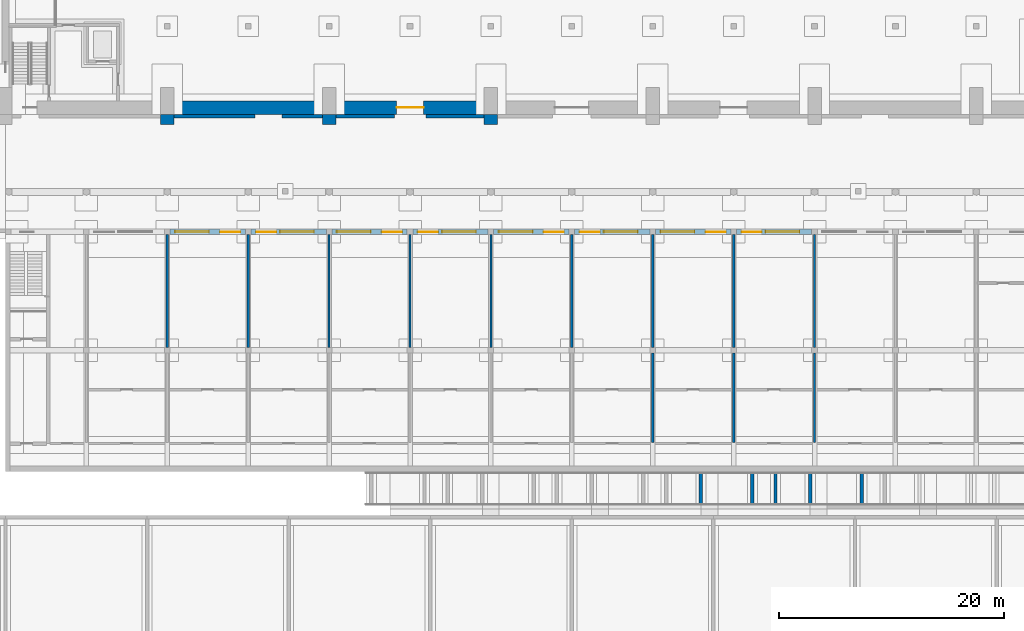
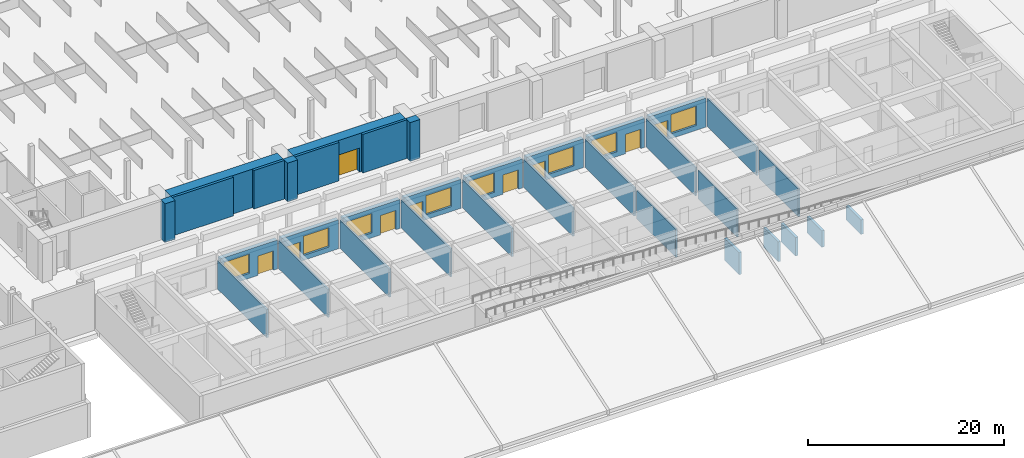
# One storey, part 35 of 73: 34 walls, 9 doors, 8 windows, 17 openings.
"""IFC4 building model written with IfcOpenShell, lengths in metres."""

from ifc_helpers import new_model, si_unit, direction, frame, frame_2d, origin, place, context, subcontext, project, spatial, rectangle, extrude, material, layer, layer_set, type_object, element, fill, save


model = new_model("IFC4")

# Units and contexts
model_context = context("Model", 3, precision=1e-05, world=origin(), true_north=direction((0.0, 1.0)))
body_context = subcontext(model_context, "Body", "Model", "MODEL_VIEW")
ifc_project = project(units=[si_unit("LENGTHUNIT", "METRE"), si_unit("AREAUNIT", "SQUARE_METRE"), si_unit("VOLUMEUNIT", "CUBIC_METRE"), si_unit("PLANEANGLEUNIT", "RADIAN"), si_unit("MASSUNIT", "GRAM", prefix="KILO")], contexts=[model_context])

# Site, building, storey
site_placement = place(None, origin())
site = spatial("IfcSite", under=ifc_project, at=site_placement, CompositionType="ELEMENT")
building_placement = place(site_placement, origin())
building = spatial("IfcBuilding", under=site, at=building_placement, Name="Alderwick Market Hall", CompositionType="ELEMENT")
storey_placement = place(building_placement, origin())
storey = spatial("IfcBuildingStorey", under=building, at=storey_placement, Name="LG", CompositionType="ELEMENT", Elevation=0.0)

# Wall, openings, door, window
ifc_material_1 = material(Name="Cast stone 5000 psi", Category="masonry")
ifc_layer_1 = layer(ifc_material_1, 0.5)
ifc_layer_set_1 = layer_set([ifc_layer_1], Name="Cast stone 5000 psi")
wall_type_1 = type_object("IfcWallType", Name="A Cast Stone Shopfront Wall 500", PredefinedType="SOLIDWALL", material=ifc_layer_set_1)
wall_1_placement = place(storey_placement, frame((65.050048828125, 39.35009765625, 0.0), z_axis=(0.0, 0.0, 1.0), x_axis=(1.0, 0.0, 0.0)))
wall_1 = element("IfcWall", 1, at=wall_1_placement, inside=storey, type_object=wall_type_1, Name="A.S.wall.011", PredefinedType="SOLIDWALL", context=body_context, shape_type="SweptSolid", body=[
    extrude(rectangle(XDim=6.699951171875, YDim=0.5, at=frame_2d((3.35009765625, 0.0))), origin(), (0.0, 0.0, 1.0), 3.60009765625),
])
opening_1_placement = place(wall_1_placement, frame((4.449951171875, 0.0, 0.0)))
opening_1 = element("IfcOpeningElement", 2, at=opening_1_placement, cuts=wall_1, Name="Opening A-D019", PredefinedType="OPENING", context=body_context, shape_type="SweptSolid", body=[
    extrude(rectangle(XDim=1.800048828125, YDim=2.39990234375, at=frame_2d((0.89990234375, 1.199951171875))), frame((0.0, 0.260009765625, 0.0), z_axis=(0.0, -1.0, 0.0), x_axis=(1.0, 0.0, 0.0)), (0.0, 0.0, 1.0), 0.52001953125),
])
opening_2_placement = place(wall_1_placement, frame((0.449951171875, 0.0, 0.60009765625)))
opening_2 = element("IfcOpeningElement", 3, at=opening_2_placement, cuts=wall_1, Name="Opening A-W013", PredefinedType="OPENING", context=body_context, shape_type="SweptSolid", body=[
    extrude(rectangle(XDim=3.0, YDim=2.39990234375, at=frame_2d((1.5, 1.199951171875))), frame((0.0, 0.260009765625, 0.0), z_axis=(0.0, -1.0, 0.0), x_axis=(1.0, 0.0, 0.0)), (0.0, 0.0, 1.0), 0.52001953125),
])
ifc_material_2 = material(Name="Aluminium frame and glass", Category="aluminium")
door_type_1 = type_object("IfcDoorType", Name="A Shop Double Door 1800x2400", OperationType="DOUBLE_DOOR_DOUBLE_SWING", PredefinedType="DOOR", material=ifc_material_2)
door_1_placement = place(opening_1_placement, origin())
door_1 = element("IfcDoor", 4, at=door_1_placement, inside=storey, type_object=door_type_1, Name="Wine Shop entrance", OperationType="DOUBLE_DOOR_DOUBLE_SWING", OverallHeight=2.39990234375, OverallWidth=1.800048828125, PredefinedType="DOOR", context=body_context, shape_type="SweptSolid", body=[
    extrude(rectangle(XDim=1.800048828125, YDim=2.39990234375, at=frame_2d((0.89990234375, 1.199951171875))), frame((0.0, 0.02490234375, 0.0), z_axis=(0.0, -1.0, 0.0), x_axis=(1.0, 0.0, 0.0)), (0.0, 0.0, 1.0), 0.050048828125),
])
fill(opening_1, door_1)
ifc_material_3 = material(Name="Aluminium frame", Category="aluminium")
window_type = type_object("IfcWindowType", Name="A Shopfront Window 3000x2400", PartitioningType="SINGLE_PANEL", PredefinedType="WINDOW", material=ifc_material_3)
window_1_placement = place(opening_2_placement, origin())
window_1 = element("IfcWindow", 5, at=window_1_placement, inside=storey, type_object=window_type, Name="Window A-W013", OverallHeight=2.39990234375, OverallWidth=3.0, PartitioningType="SINGLE_PANEL", PredefinedType="WINDOW", context=body_context, shape_type="SweptSolid", body=[
    extrude(rectangle(XDim=3.0, YDim=2.39990234375, at=frame_2d((1.5, 1.199951171875))), frame((0.0, 0.030029296875, 0.0), z_axis=(0.0, -1.0, 0.0), x_axis=(1.0, 0.0, 0.0)), (0.0, 0.0, 1.0), 0.06005859375),
])
fill(opening_2, window_1)

wall_2_placement = place(storey_placement, frame((72.25, 39.35009765625, 0.0), z_axis=(0.0, 0.0, 1.0), x_axis=(1.0, 0.0, 0.0)))
wall_2 = element("IfcWall", 6, at=wall_2_placement, inside=storey, type_object=wall_type_1, Name="A.S.wall.012", PredefinedType="SOLIDWALL", context=body_context, shape_type="SweptSolid", body=[
    extrude(rectangle(XDim=6.699951171875, YDim=0.5, at=frame_2d((3.35009765625, 0.0))), origin(), (0.0, 0.0, 1.0), 3.60009765625),
])
opening_3_placement = place(wall_2_placement, frame((0.449951171875, 0.0, 0.0)))
opening_3 = element("IfcOpeningElement", 7, at=opening_3_placement, cuts=wall_2, Name="Opening A-D020", PredefinedType="OPENING", context=body_context, shape_type="SweptSolid", body=[
    extrude(rectangle(XDim=1.800048828125, YDim=2.39990234375, at=frame_2d((0.89990234375, 1.199951171875))), frame((0.0, 0.260009765625, 0.0), z_axis=(0.0, -1.0, 0.0), x_axis=(1.0, 0.0, 0.0)), (0.0, 0.0, 1.0), 0.52001953125),
])
opening_4_placement = place(wall_2_placement, frame((2.60009765625, 0.0, 0.60009765625)))
opening_4 = element("IfcOpeningElement", 8, at=opening_4_placement, cuts=wall_2, Name="Opening A-W014", PredefinedType="OPENING", context=body_context, shape_type="SweptSolid", body=[
    extrude(rectangle(XDim=3.0, YDim=2.39990234375, at=frame_2d((1.5, 1.199951171875))), frame((0.0, 0.260009765625, 0.0), z_axis=(0.0, -1.0, 0.0), x_axis=(1.0, 0.0, 0.0)), (0.0, 0.0, 1.0), 0.52001953125),
])
door_2_placement = place(opening_3_placement, origin())
door_2 = element("IfcDoor", 9, at=door_2_placement, inside=storey, type_object=door_type_1, Name="Spice Shop entrance", OperationType="DOUBLE_DOOR_DOUBLE_SWING", OverallHeight=2.39990234375, OverallWidth=1.800048828125, PredefinedType="DOOR", context=body_context, shape_type="SweptSolid", body=[
    extrude(rectangle(XDim=1.800048828125, YDim=2.39990234375, at=frame_2d((0.89990234375, 1.199951171875))), frame((0.0, 0.02490234375, 0.0), z_axis=(0.0, -1.0, 0.0), x_axis=(1.0, 0.0, 0.0)), (0.0, 0.0, 1.0), 0.050048828125),
])
fill(opening_3, door_2)
window_2_placement = place(opening_4_placement, origin())
window_2 = element("IfcWindow", 10, at=window_2_placement, inside=storey, type_object=window_type, Name="Window A-W014", OverallHeight=2.39990234375, OverallWidth=3.0, PartitioningType="SINGLE_PANEL", PredefinedType="WINDOW", context=body_context, shape_type="SweptSolid", body=[
    extrude(rectangle(XDim=3.0, YDim=2.39990234375, at=frame_2d((1.5, 1.199951171875))), frame((0.0, 0.030029296875, 0.0), z_axis=(0.0, -1.0, 0.0), x_axis=(1.0, 0.0, 0.0)), (0.0, 0.0, 1.0), 0.06005859375),
])
fill(opening_4, window_2)

wall_3_placement = place(storey_placement, frame((79.449951171875, 39.35009765625, 0.0), z_axis=(0.0, 0.0, 1.0), x_axis=(1.0, 0.0, 0.0)))
wall_3 = element("IfcWall", 11, at=wall_3_placement, inside=storey, type_object=wall_type_1, Name="A.S.wall.013", PredefinedType="SOLIDWALL", context=body_context, shape_type="SweptSolid", body=[
    extrude(rectangle(XDim=6.699951171875, YDim=0.5, at=frame_2d((3.35009765625, 0.0))), origin(), (0.0, 0.0, 1.0), 3.60009765625),
])
opening_5_placement = place(wall_3_placement, frame((4.449951171875, 0.0, 0.0)))
opening_5 = element("IfcOpeningElement", 12, at=opening_5_placement, cuts=wall_3, Name="Opening A-D021", PredefinedType="OPENING", context=body_context, shape_type="SweptSolid", body=[
    extrude(rectangle(XDim=1.800048828125, YDim=2.39990234375, at=frame_2d((0.89990234375, 1.199951171875))), frame((0.0, 0.260009765625, 0.0), z_axis=(0.0, -1.0, 0.0), x_axis=(1.0, 0.0, 0.0)), (0.0, 0.0, 1.0), 0.52001953125),
])
opening_6_placement = place(wall_3_placement, frame((0.449951171875, 0.0, 0.60009765625)))
opening_6 = element("IfcOpeningElement", 13, at=opening_6_placement, cuts=wall_3, Name="Opening A-W015", PredefinedType="OPENING", context=body_context, shape_type="SweptSolid", body=[
    extrude(rectangle(XDim=3.0, YDim=2.39990234375, at=frame_2d((1.5, 1.199951171875))), frame((0.0, 0.260009765625, 0.0), z_axis=(0.0, -1.0, 0.0), x_axis=(1.0, 0.0, 0.0)), (0.0, 0.0, 1.0), 0.52001953125),
])
door_3_placement = place(opening_5_placement, origin())
door_3 = element("IfcDoor", 14, at=door_3_placement, inside=storey, type_object=door_type_1, Name="Butcher Shop entrance", OperationType="DOUBLE_DOOR_DOUBLE_SWING", OverallHeight=2.39990234375, OverallWidth=1.800048828125, PredefinedType="DOOR", context=body_context, shape_type="SweptSolid", body=[
    extrude(rectangle(XDim=1.800048828125, YDim=2.39990234375, at=frame_2d((0.89990234375, 1.199951171875))), frame((0.0, 0.02490234375, 0.0), z_axis=(0.0, -1.0, 0.0), x_axis=(1.0, 0.0, 0.0)), (0.0, 0.0, 1.0), 0.050048828125),
])
fill(opening_5, door_3)
window_3_placement = place(opening_6_placement, origin())
window_3 = element("IfcWindow", 15, at=window_3_placement, inside=storey, type_object=window_type, Name="Window A-W015", OverallHeight=2.39990234375, OverallWidth=3.0, PartitioningType="SINGLE_PANEL", PredefinedType="WINDOW", context=body_context, shape_type="SweptSolid", body=[
    extrude(rectangle(XDim=3.0, YDim=2.39990234375, at=frame_2d((1.5, 1.199951171875))), frame((0.0, 0.030029296875, 0.0), z_axis=(0.0, -1.0, 0.0), x_axis=(1.0, 0.0, 0.0)), (0.0, 0.0, 1.0), 0.06005859375),
])
fill(opening_6, window_3)

wall_4_placement = place(storey_placement, frame((86.64990234375, 39.35009765625, 0.0), z_axis=(0.0, 0.0, 1.0), x_axis=(1.0, 0.0, 0.0)))
wall_4 = element("IfcWall", 16, at=wall_4_placement, inside=storey, type_object=wall_type_1, Name="A.S.wall.014", PredefinedType="SOLIDWALL", context=body_context, shape_type="SweptSolid", body=[
    extrude(rectangle(XDim=6.7001953125, YDim=0.5, at=frame_2d((3.35009765625, 0.0))), origin(), (0.0, 0.0, 1.0), 3.60009765625),
])
opening_7_placement = place(wall_4_placement, frame((0.449951171875, 0.0, 0.0)))
opening_7 = element("IfcOpeningElement", 17, at=opening_7_placement, cuts=wall_4, Name="Opening A-D022", PredefinedType="OPENING", context=body_context, shape_type="SweptSolid", body=[
    extrude(rectangle(XDim=1.800048828125, YDim=2.39990234375, at=frame_2d((0.89990234375, 1.199951171875))), frame((0.0, 0.260009765625, 0.0), z_axis=(0.0, -1.0, 0.0), x_axis=(1.0, 0.0, 0.0)), (0.0, 0.0, 1.0), 0.52001953125),
])
opening_8_placement = place(wall_4_placement, frame((2.60009765625, 0.0, 0.60009765625)))
opening_8 = element("IfcOpeningElement", 18, at=opening_8_placement, cuts=wall_4, Name="Opening A-W016", PredefinedType="OPENING", context=body_context, shape_type="SweptSolid", body=[
    extrude(rectangle(XDim=3.0, YDim=2.39990234375, at=frame_2d((1.5, 1.199951171875))), frame((0.0, 0.260009765625, 0.0), z_axis=(0.0, -1.0, 0.0), x_axis=(1.0, 0.0, 0.0)), (0.0, 0.0, 1.0), 0.52001953125),
])
door_4_placement = place(opening_7_placement, origin())
door_4 = element("IfcDoor", 19, at=door_4_placement, inside=storey, type_object=door_type_1, Name="Fishmonger Shop entrance", OperationType="DOUBLE_DOOR_DOUBLE_SWING", OverallHeight=2.39990234375, OverallWidth=1.800048828125, PredefinedType="DOOR", context=body_context, shape_type="SweptSolid", body=[
    extrude(rectangle(XDim=1.800048828125, YDim=2.39990234375, at=frame_2d((0.89990234375, 1.199951171875))), frame((0.0, 0.02490234375, 0.0), z_axis=(0.0, -1.0, 0.0), x_axis=(1.0, 0.0, 0.0)), (0.0, 0.0, 1.0), 0.050048828125),
])
fill(opening_7, door_4)
window_4_placement = place(opening_8_placement, origin())
window_4 = element("IfcWindow", 20, at=window_4_placement, inside=storey, type_object=window_type, Name="Window A-W016", OverallHeight=2.39990234375, OverallWidth=3.0, PartitioningType="SINGLE_PANEL", PredefinedType="WINDOW", context=body_context, shape_type="SweptSolid", body=[
    extrude(rectangle(XDim=3.0, YDim=2.39990234375, at=frame_2d((1.5, 1.199951171875))), frame((0.0, 0.030029296875, 0.0), z_axis=(0.0, -1.0, 0.0), x_axis=(1.0, 0.0, 0.0)), (0.0, 0.0, 1.0), 0.06005859375),
])
fill(opening_8, window_4)

wall_5_placement = place(storey_placement, frame((93.85009765625, 39.35009765625, 0.0), z_axis=(0.0, 0.0, 1.0), x_axis=(1.0, 0.0, 0.0)))
wall_5 = element("IfcWall", 21, at=wall_5_placement, inside=storey, type_object=wall_type_1, Name="A.S.wall.015", PredefinedType="SOLIDWALL", context=body_context, shape_type="SweptSolid", body=[
    extrude(rectangle(XDim=6.699951171875, YDim=0.5, at=frame_2d((3.35009765625, 0.0))), origin(), (0.0, 0.0, 1.0), 3.60009765625),
])
opening_9_placement = place(wall_5_placement, frame((4.449951171875, 0.0, 0.0)))
opening_9 = element("IfcOpeningElement", 22, at=opening_9_placement, cuts=wall_5, Name="Opening A-D023", PredefinedType="OPENING", context=body_context, shape_type="SweptSolid", body=[
    extrude(rectangle(XDim=1.800048828125, YDim=2.39990234375, at=frame_2d((0.89990234375, 1.199951171875))), frame((0.0, 0.260009765625, 0.0), z_axis=(0.0, -1.0, 0.0), x_axis=(1.0, 0.0, 0.0)), (0.0, 0.0, 1.0), 0.52001953125),
])
opening_10_placement = place(wall_5_placement, frame((0.449951171875, 0.0, 0.60009765625)))
opening_10 = element("IfcOpeningElement", 23, at=opening_10_placement, cuts=wall_5, Name="Opening A-W017", PredefinedType="OPENING", context=body_context, shape_type="SweptSolid", body=[
    extrude(rectangle(XDim=3.0, YDim=2.39990234375, at=frame_2d((1.5, 1.199951171875))), frame((0.0, 0.260009765625, 0.0), z_axis=(0.0, -1.0, 0.0), x_axis=(1.0, 0.0, 0.0)), (0.0, 0.0, 1.0), 0.52001953125),
])
door_5_placement = place(opening_9_placement, origin())
door_5 = element("IfcDoor", 24, at=door_5_placement, inside=storey, type_object=door_type_1, Name="Bakery Shop entrance", OperationType="DOUBLE_DOOR_DOUBLE_SWING", OverallHeight=2.39990234375, OverallWidth=1.800048828125, PredefinedType="DOOR", context=body_context, shape_type="SweptSolid", body=[
    extrude(rectangle(XDim=1.800048828125, YDim=2.39990234375, at=frame_2d((0.89990234375, 1.199951171875))), frame((0.0, 0.02490234375, 0.0), z_axis=(0.0, -1.0, 0.0), x_axis=(1.0, 0.0, 0.0)), (0.0, 0.0, 1.0), 0.050048828125),
])
fill(opening_9, door_5)
window_5_placement = place(opening_10_placement, origin())
window_5 = element("IfcWindow", 25, at=window_5_placement, inside=storey, type_object=window_type, Name="Window A-W017", OverallHeight=2.39990234375, OverallWidth=3.0, PartitioningType="SINGLE_PANEL", PredefinedType="WINDOW", context=body_context, shape_type="SweptSolid", body=[
    extrude(rectangle(XDim=3.0, YDim=2.39990234375, at=frame_2d((1.5, 1.199951171875))), frame((0.0, 0.030029296875, 0.0), z_axis=(0.0, -1.0, 0.0), x_axis=(1.0, 0.0, 0.0)), (0.0, 0.0, 1.0), 0.06005859375),
])
fill(opening_10, window_5)

wall_6_placement = place(storey_placement, frame((101.050048828125, 39.35009765625, 0.0), z_axis=(0.0, 0.0, 1.0), x_axis=(1.0, 0.0, 0.0)))
wall_6 = element("IfcWall", 26, at=wall_6_placement, inside=storey, type_object=wall_type_1, Name="A.S.wall.016", PredefinedType="SOLIDWALL", context=body_context, shape_type="SweptSolid", body=[
    extrude(rectangle(XDim=6.699951171875, YDim=0.5, at=frame_2d((3.35009765625, 0.0))), origin(), (0.0, 0.0, 1.0), 3.60009765625),
])
opening_11_placement = place(wall_6_placement, frame((0.449951171875, 0.0, 0.0)))
opening_11 = element("IfcOpeningElement", 27, at=opening_11_placement, cuts=wall_6, Name="Opening A-D024", PredefinedType="OPENING", context=body_context, shape_type="SweptSolid", body=[
    extrude(rectangle(XDim=1.800048828125, YDim=2.39990234375, at=frame_2d((0.89990234375, 1.199951171875))), frame((0.0, 0.260009765625, 0.0), z_axis=(0.0, -1.0, 0.0), x_axis=(1.0, 0.0, 0.0)), (0.0, 0.0, 1.0), 0.52001953125),
])
opening_12_placement = place(wall_6_placement, frame((2.60009765625, 0.0, 0.60009765625)))
opening_12 = element("IfcOpeningElement", 28, at=opening_12_placement, cuts=wall_6, Name="Opening A-W018", PredefinedType="OPENING", context=body_context, shape_type="SweptSolid", body=[
    extrude(rectangle(XDim=3.0, YDim=2.39990234375, at=frame_2d((1.5, 1.199951171875))), frame((0.0, 0.260009765625, 0.0), z_axis=(0.0, -1.0, 0.0), x_axis=(1.0, 0.0, 0.0)), (0.0, 0.0, 1.0), 0.52001953125),
])
door_6_placement = place(opening_11_placement, origin())
door_6 = element("IfcDoor", 29, at=door_6_placement, inside=storey, type_object=door_type_1, Name="Tea Shop entrance", OperationType="DOUBLE_DOOR_DOUBLE_SWING", OverallHeight=2.39990234375, OverallWidth=1.800048828125, PredefinedType="DOOR", context=body_context, shape_type="SweptSolid", body=[
    extrude(rectangle(XDim=1.800048828125, YDim=2.39990234375, at=frame_2d((0.89990234375, 1.199951171875))), frame((0.0, 0.02490234375, 0.0), z_axis=(0.0, -1.0, 0.0), x_axis=(1.0, 0.0, 0.0)), (0.0, 0.0, 1.0), 0.050048828125),
])
fill(opening_11, door_6)
window_6_placement = place(opening_12_placement, origin())
window_6 = element("IfcWindow", 30, at=window_6_placement, inside=storey, type_object=window_type, Name="Window A-W018", OverallHeight=2.39990234375, OverallWidth=3.0, PartitioningType="SINGLE_PANEL", PredefinedType="WINDOW", context=body_context, shape_type="SweptSolid", body=[
    extrude(rectangle(XDim=3.0, YDim=2.39990234375, at=frame_2d((1.5, 1.199951171875))), frame((0.0, 0.030029296875, 0.0), z_axis=(0.0, -1.0, 0.0), x_axis=(1.0, 0.0, 0.0)), (0.0, 0.0, 1.0), 0.06005859375),
])
fill(opening_12, window_6)

wall_7_placement = place(storey_placement, frame((108.25, 39.35009765625, 0.0), z_axis=(0.0, 0.0, 1.0), x_axis=(1.0, 0.0, 0.0)))
wall_7 = element("IfcWall", 31, at=wall_7_placement, inside=storey, type_object=wall_type_1, Name="A.S.wall.017", PredefinedType="SOLIDWALL", context=body_context, shape_type="SweptSolid", body=[
    extrude(rectangle(XDim=6.699951171875, YDim=0.5, at=frame_2d((3.35009765625, 0.0))), origin(), (0.0, 0.0, 1.0), 3.60009765625),
])
opening_13_placement = place(wall_7_placement, frame((4.449951171875, 0.0, 0.0)))
opening_13 = element("IfcOpeningElement", 32, at=opening_13_placement, cuts=wall_7, Name="Opening A-D025", PredefinedType="OPENING", context=body_context, shape_type="SweptSolid", body=[
    extrude(rectangle(XDim=1.800048828125, YDim=2.39990234375, at=frame_2d((0.89990234375, 1.199951171875))), frame((0.0, 0.260009765625, 0.0), z_axis=(0.0, -1.0, 0.0), x_axis=(1.0, 0.0, 0.0)), (0.0, 0.0, 1.0), 0.52001953125),
])
opening_14_placement = place(wall_7_placement, frame((0.449951171875, 0.0, 0.60009765625)))
opening_14 = element("IfcOpeningElement", 33, at=opening_14_placement, cuts=wall_7, Name="Opening A-W019", PredefinedType="OPENING", context=body_context, shape_type="SweptSolid", body=[
    extrude(rectangle(XDim=3.0, YDim=2.39990234375, at=frame_2d((1.5, 1.199951171875))), frame((0.0, 0.260009765625, 0.0), z_axis=(0.0, -1.0, 0.0), x_axis=(1.0, 0.0, 0.0)), (0.0, 0.0, 1.0), 0.52001953125),
])
door_7_placement = place(opening_13_placement, origin())
door_7 = element("IfcDoor", 34, at=door_7_placement, inside=storey, type_object=door_type_1, Name="Greengrocer Shop entrance", OperationType="DOUBLE_DOOR_DOUBLE_SWING", OverallHeight=2.39990234375, OverallWidth=1.800048828125, PredefinedType="DOOR", context=body_context, shape_type="SweptSolid", body=[
    extrude(rectangle(XDim=1.800048828125, YDim=2.39990234375, at=frame_2d((0.89990234375, 1.199951171875))), frame((0.0, 0.02490234375, 0.0), z_axis=(0.0, -1.0, 0.0), x_axis=(1.0, 0.0, 0.0)), (0.0, 0.0, 1.0), 0.050048828125),
])
fill(opening_13, door_7)
window_7_placement = place(opening_14_placement, origin())
window_7 = element("IfcWindow", 35, at=window_7_placement, inside=storey, type_object=window_type, Name="Window A-W019", OverallHeight=2.39990234375, OverallWidth=3.0, PartitioningType="SINGLE_PANEL", PredefinedType="WINDOW", context=body_context, shape_type="SweptSolid", body=[
    extrude(rectangle(XDim=3.0, YDim=2.39990234375, at=frame_2d((1.5, 1.199951171875))), frame((0.0, 0.030029296875, 0.0), z_axis=(0.0, -1.0, 0.0), x_axis=(1.0, 0.0, 0.0)), (0.0, 0.0, 1.0), 0.06005859375),
])
fill(opening_14, window_7)

wall_8_placement = place(storey_placement, frame((115.449951171875, 39.35009765625, 0.0), z_axis=(0.0, 0.0, 1.0), x_axis=(1.0, 0.0, 0.0)))
wall_8 = element("IfcWall", 36, at=wall_8_placement, inside=storey, type_object=wall_type_1, Name="A.S.wall.018", PredefinedType="SOLIDWALL", context=body_context, shape_type="SweptSolid", body=[
    extrude(rectangle(XDim=6.699951171875, YDim=0.5, at=frame_2d((3.35009765625, 0.0))), origin(), (0.0, 0.0, 1.0), 3.60009765625),
])
opening_15_placement = place(wall_8_placement, frame((0.449951171875, 0.0, 0.0)))
opening_15 = element("IfcOpeningElement", 37, at=opening_15_placement, cuts=wall_8, Name="Opening A-D026", PredefinedType="OPENING", context=body_context, shape_type="SweptSolid", body=[
    extrude(rectangle(XDim=1.800048828125, YDim=2.39990234375, at=frame_2d((0.89990234375, 1.199951171875))), frame((0.0, 0.260009765625, 0.0), z_axis=(0.0, -1.0, 0.0), x_axis=(1.0, 0.0, 0.0)), (0.0, 0.0, 1.0), 0.52001953125),
])
opening_16_placement = place(wall_8_placement, frame((2.60009765625, 0.0, 0.60009765625)))
opening_16 = element("IfcOpeningElement", 38, at=opening_16_placement, cuts=wall_8, Name="Opening A-W020", PredefinedType="OPENING", context=body_context, shape_type="SweptSolid", body=[
    extrude(rectangle(XDim=3.0, YDim=2.39990234375, at=frame_2d((1.5, 1.199951171875))), frame((0.0, 0.260009765625, 0.0), z_axis=(0.0, -1.0, 0.0), x_axis=(1.0, 0.0, 0.0)), (0.0, 0.0, 1.0), 0.52001953125),
])
door_8_placement = place(opening_15_placement, origin())
door_8 = element("IfcDoor", 39, at=door_8_placement, inside=storey, type_object=door_type_1, Name="Delicatessen Shop entrance", OperationType="DOUBLE_DOOR_DOUBLE_SWING", OverallHeight=2.39990234375, OverallWidth=1.800048828125, PredefinedType="DOOR", context=body_context, shape_type="SweptSolid", body=[
    extrude(rectangle(XDim=1.800048828125, YDim=2.39990234375, at=frame_2d((0.89990234375, 1.199951171875))), frame((0.0, 0.02490234375, 0.0), z_axis=(0.0, -1.0, 0.0), x_axis=(1.0, 0.0, 0.0)), (0.0, 0.0, 1.0), 0.050048828125),
])
fill(opening_15, door_8)
window_8_placement = place(opening_16_placement, origin())
window_8 = element("IfcWindow", 40, at=window_8_placement, inside=storey, type_object=window_type, Name="Window A-W020", OverallHeight=2.39990234375, OverallWidth=3.0, PartitioningType="SINGLE_PANEL", PredefinedType="WINDOW", context=body_context, shape_type="SweptSolid", body=[
    extrude(rectangle(XDim=3.0, YDim=2.39990234375, at=frame_2d((1.5, 1.199951171875))), frame((0.0, 0.030029296875, 0.0), z_axis=(0.0, -1.0, 0.0), x_axis=(1.0, 0.0, 0.0)), (0.0, 0.0, 1.0), 0.06005859375),
])
fill(opening_16, window_8)

# Walls
ifc_material_4 = material(Name="Concrete masonry 3000 psi", Category="masonry")
ifc_layer_2 = layer(ifc_material_4, 0.199951171875)
ifc_layer_set_2 = layer_set([ifc_layer_2], Name="Concrete masonry 3000 psi")
wall_type_2 = type_object("IfcWallType", Name="A Masonry Partition 200", PredefinedType="PARTITIONING", material=ifc_layer_set_2)
for number, where, z_axis, x_axis, name in (
    (41, (64.800048828125, 29.050048828125, 0.0), (0.0, 0.0, 1.0), (0.0, 1.0, 0.0), "A.S.wall.028"),
    (42, (72.0, 29.050048828125, 0.0), (0.0, 0.0, 1.0), (0.0, 1.0, 0.0), "A.S.wall.030"),
    (43, (79.199951171875, 29.050048828125, 0.0), (0.0, 0.0, 1.0), (0.0, 1.0, 0.0), "A.S.wall.032"),
    (44, (86.39990234375, 29.050048828125, 0.0), (0.0, 0.0, 1.0), (0.0, 1.0, 0.0), "A.S.wall.034"),
    (45, (93.60009765625, 29.050048828125, 0.0), (0.0, 0.0, 1.0), (0.0, 1.0, 0.0), "A.S.wall.036"),
    (46, (100.800048828125, 29.050048828125, 0.0), (0.0, 0.0, 1.0), (0.0, 1.0, 0.0), "A.S.wall.038"),
):
    element("IfcWall", number, at=place(storey_placement, frame(where, z_axis=z_axis, x_axis=x_axis)), inside=storey, type_object=wall_type_2, Name=name, PredefinedType="PARTITIONING", context=body_context, shape_type="SweptSolid", body=[
        extrude(rectangle(XDim=10.050048828125, YDim=0.199951171875, at=frame_2d((5.02490234375, 0.0))), origin(), (0.0, 0.0, 1.0), 3.5),
    ])
wall_9_placement = place(storey_placement, frame((108.0, 20.60009765625, 0.0), z_axis=(0.0, 0.0, 1.0), x_axis=(0.0, 1.0, 0.0)))
element("IfcWall", 47, at=wall_9_placement, inside=storey, type_object=wall_type_2, Name="A.S.wall.039", PredefinedType="PARTITIONING", context=body_context, shape_type="SweptSolid", body=[
    extrude(rectangle(XDim=7.949951171875, YDim=0.199951171875, at=frame_2d((3.97509765625, 0.0))), origin(), (0.0, 0.0, 1.0), 3.5),
])
wall_10_placement = place(storey_placement, frame((108.0, 29.050048828125, 0.0), z_axis=(0.0, 0.0, 1.0), x_axis=(0.0, 1.0, 0.0)))
element("IfcWall", 48, at=wall_10_placement, inside=storey, type_object=wall_type_2, Name="A.S.wall.040", PredefinedType="PARTITIONING", context=body_context, shape_type="SweptSolid", body=[
    extrude(rectangle(XDim=10.050048828125, YDim=0.199951171875, at=frame_2d((5.02490234375, 0.0))), origin(), (0.0, 0.0, 1.0), 3.5),
])
wall_11_placement = place(storey_placement, frame((115.199951171875, 20.60009765625, 0.0), z_axis=(0.0, 0.0, 1.0), x_axis=(0.0, 1.0, 0.0)))
element("IfcWall", 49, at=wall_11_placement, inside=storey, type_object=wall_type_2, Name="A.S.wall.041", PredefinedType="PARTITIONING", context=body_context, shape_type="SweptSolid", body=[
    extrude(rectangle(XDim=7.949951171875, YDim=0.199951171875, at=frame_2d((3.97509765625, 0.0))), origin(), (0.0, 0.0, 1.0), 3.5),
])
wall_12_placement = place(storey_placement, frame((115.199951171875, 29.050048828125, 0.0), z_axis=(0.0, 0.0, 1.0), x_axis=(0.0, 1.0, 0.0)))
element("IfcWall", 50, at=wall_12_placement, inside=storey, type_object=wall_type_2, Name="A.S.wall.042", PredefinedType="PARTITIONING", context=body_context, shape_type="SweptSolid", body=[
    extrude(rectangle(XDim=10.050048828125, YDim=0.199951171875, at=frame_2d((5.02490234375, 0.0))), origin(), (0.0, 0.0, 1.0), 3.5),
])
wall_13_placement = place(storey_placement, frame((122.39990234375, 20.60009765625, 0.0), z_axis=(0.0, 0.0, 1.0), x_axis=(0.0, 1.0, 0.0)))
element("IfcWall", 51, at=wall_13_placement, inside=storey, type_object=wall_type_2, Name="A.S.wall.043", PredefinedType="PARTITIONING", context=body_context, shape_type="SweptSolid", body=[
    extrude(rectangle(XDim=7.949951171875, YDim=0.199951171875, at=frame_2d((3.97509765625, 0.0))), origin(), (0.0, 0.0, 1.0), 3.5),
])
wall_14_placement = place(storey_placement, frame((122.39990234375, 29.050048828125, 0.0), z_axis=(0.0, 0.0, 1.0), x_axis=(0.0, 1.0, 0.0)))
element("IfcWall", 52, at=wall_14_placement, inside=storey, type_object=wall_type_2, Name="A.S.wall.044", PredefinedType="PARTITIONING", context=body_context, shape_type="SweptSolid", body=[
    extrude(rectangle(XDim=10.050048828125, YDim=0.199951171875, at=frame_2d((5.02490234375, 0.0))), origin(), (0.0, 0.0, 1.0), 3.5),
])
ifc_material_5 = material(Name="Cast stone 5000 psi (f'c 35 MPa), ASTM C1364", Category="masonry")
ifc_layer_3 = layer(ifc_material_5, 0.300048828125)
ifc_layer_set_3 = layer_set([ifc_layer_3], Name="Cast stone 5000 psi (f'c 35 MPa), ASTM C1364")
wall_type_3 = type_object("IfcWallType", Name="H Base course 300", PredefinedType="SOLIDWALL", material=ifc_layer_set_3)
wall_15_placement = place(storey_placement, frame((65.39990234375, 49.64990234375, 0.0), z_axis=(0.0, 0.0, 1.0), x_axis=(1.0, 0.0, 0.0)))
element("IfcWall", 53, at=wall_15_placement, inside=storey, type_object=wall_type_3, Name="Base course S2 plinth", PredefinedType="SOLIDWALL", context=body_context, shape_type="SweptSolid", body=[
    extrude(rectangle(XDim=7.2001953125, YDim=0.300048828125, at=frame_2d((3.60009765625, 0.0))), origin(), (0.0, 0.0, 1.0), 4.800048828125),
])
wall_16_placement = place(storey_placement, frame((75.0, 49.64990234375, 0.0), z_axis=(0.0, 0.0, 1.0), x_axis=(1.0, 0.0, 0.0)))
element("IfcWall", 54, at=wall_16_placement, inside=storey, type_object=wall_type_3, Name="Base course S2 plinth", PredefinedType="SOLIDWALL", context=body_context, shape_type="SweptSolid", body=[
    extrude(rectangle(XDim=3.60009765625, YDim=0.300048828125, at=frame_2d((1.800048828125, 0.0))), origin(), (0.0, 0.0, 1.0), 4.800048828125),
])
for number, where, z_axis, x_axis, name in (
    (55, (79.800048828125, 49.64990234375, 0.0), (0.0, 0.0, 1.0), (1.0, 0.0, 0.0), "Base course S3 plinth"),
    (56, (87.800048828125, 49.64990234375, 0.0), (0.0, 0.0, 1.0), (1.0, 0.0, 0.0), "Base course S3 plinth"),
):
    element("IfcWall", number, at=place(storey_placement, frame(where, z_axis=z_axis, x_axis=x_axis)), inside=storey, type_object=wall_type_3, Name=name, PredefinedType="SOLIDWALL", context=body_context, shape_type="SweptSolid", body=[
        extrude(rectangle(XDim=5.199951171875, YDim=0.300048828125, at=frame_2d((2.60009765625, 0.0))), origin(), (0.0, 0.0, 1.0), 4.800048828125),
    ])
ifc_material_6 = material(Name="Face brick masonry, ASTM C216 grade SW (f'm 17 MPa)", Category="masonry")
ifc_layer_4 = layer(ifc_material_6, 0.89990234375)
ifc_layer_set_4 = layer_set([ifc_layer_4], Name="Face brick masonry, ASTM C216 grade SW (f'm 17 MPa)")
wall_type_4 = type_object("IfcWallType", Name="H Buttress pier 900", PredefinedType="SOLIDWALL", material=ifc_layer_set_4)
for number, where, z_axis, x_axis, name in (
    (57, (64.199951171875, 49.35009765625, 0.0), (0.0, 0.0, 1.0), (1.0, 0.0, 0.0), "Buttress pier S2"),
    (58, (78.60009765625, 49.35009765625, 0.0), (0.0, 0.0, 1.0), (1.0, 0.0, 0.0), "Buttress pier S3"),
    (59, (93.0, 49.35009765625, 0.0), (0.0, 0.0, 1.0), (1.0, 0.0, 0.0), "Buttress pier S4"),
):
    element("IfcWall", number, at=place(storey_placement, frame(where, z_axis=z_axis, x_axis=x_axis)), inside=storey, type_object=wall_type_4, Name=name, PredefinedType="SOLIDWALL", context=body_context, shape_type="SweptSolid", body=[
        extrude(rectangle(XDim=1.199951171875, YDim=0.89990234375, at=frame_2d((0.60009765625, 0.0))), origin(), (0.0, 0.0, 1.0), 4.800048828125),
    ])
ifc_material_7 = material(Name="Concrete 5000 psi (f'c 35 MPa)", Category="concrete")
ifc_layer_5 = layer(ifc_material_7, 1.199951171875)
ifc_layer_set_5 = layer_set([ifc_layer_5], Name="Concrete 5000 psi (f'c 35 MPa)")
wall_type_5 = type_object("IfcWallType", Name="H Long wall 1200", PredefinedType="SOLIDWALL", material=ifc_layer_set_5)
wall_17_placement = place(storey_placement, frame((65.39990234375, 50.39990234375, 0.0), z_axis=(0.0, 0.0, 1.0), x_axis=(1.0, 0.0, 0.0)))
element("IfcWall", 60, at=wall_17_placement, inside=storey, type_object=wall_type_5, Name="Long wall S LG 2", PredefinedType="SOLIDWALL", context=body_context, shape_type="SweptSolid", body=[
    extrude(rectangle(XDim=13.2001953125, YDim=1.199951171875, at=frame_2d((6.60009765625, 0.0))), origin(), (0.0, 0.0, 1.0), 4.800048828125),
])

# Wall, opening, door
wall_18_placement = place(storey_placement, frame((79.800048828125, 50.39990234375, 0.0), z_axis=(0.0, 0.0, 1.0), x_axis=(1.0, 0.0, 0.0)))
wall_18 = element("IfcWall", 61, at=wall_18_placement, inside=storey, type_object=wall_type_5, Name="Long wall S LG 3", PredefinedType="SOLIDWALL", context=body_context, shape_type="SweptSolid", body=[
    extrude(rectangle(XDim=13.199951171875, YDim=1.199951171875, at=frame_2d((6.60009765625, 0.0))), origin(), (0.0, 0.0, 1.0), 4.800048828125),
])
opening_17_placement = place(wall_18_placement, frame((5.39990234375, 0.0, 0.0)))
opening_17 = element("IfcOpeningElement", 62, at=opening_17_placement, cuts=wall_18, Name="Opening H-D002", PredefinedType="OPENING", context=body_context, shape_type="SweptSolid", body=[
    extrude(rectangle(XDim=2.39990234375, YDim=3.0, at=frame_2d((1.199951171875, 1.5))), frame((0.0, 0.60986328125, 0.0), z_axis=(0.0, -1.0, 0.0), x_axis=(1.0, 0.0, 0.0)), (0.0, 0.0, 1.0), 1.219970703125),
])
ifc_material_8 = material(Name="Bronze-finished aluminium and glass", Category="aluminium")
door_type_2 = type_object("IfcDoorType", Name="H Entrance door 2400x3000", OperationType="DOUBLE_DOOR_SINGLE_SWING", PredefinedType="DOOR", material=ifc_material_8)
door_9_placement = place(opening_17_placement, origin())
door_9 = element("IfcDoor", 63, at=door_9_placement, inside=storey, type_object=door_type_2, Name="Door H-D002", OperationType="DOUBLE_DOOR_SINGLE_SWING", OverallHeight=3.0, OverallWidth=2.39990234375, PredefinedType="DOOR", context=body_context, shape_type="SweptSolid", body=[
    extrude(rectangle(XDim=2.39990234375, YDim=3.0, at=frame_2d((1.199951171875, 1.5))), frame((0.0, 0.02490234375, 0.0), z_axis=(0.0, -1.0, 0.0), x_axis=(1.0, 0.0, 0.0)), (0.0, 0.0, 1.0), 0.050048828125),
])
fill(opening_17, door_9)

# Walls
ifc_layer_6 = layer(ifc_material_7, 0.300048828125)
ifc_layer_set_6 = layer_set([ifc_layer_6], Name="Concrete 5000 psi (f'c 35 MPa)")
wall_type_6 = type_object("IfcWallType", Name="S Retaining Wall 300", PredefinedType="SOLIDWALL", material=ifc_layer_set_6)
wall_19_placement = place(storey_placement, frame((126.599853515625, 15.0, -0.25), z_axis=(0.0, 0.0, 1.0), x_axis=(0.0, 1.0, 0.0)))
element("IfcWall", 64, at=wall_19_placement, inside=storey, type_object=wall_type_6, Name="Ramp support wall S3d", PredefinedType="SOLIDWALL", context=body_context, shape_type="SweptSolid", body=[
    extrude(rectangle(XDim=3.0, YDim=0.300048828125, at=frame_2d((1.5, 0.0))), origin(), (0.0, 0.0, 1.0), 1.78759765625),
])
wall_20_placement = place(storey_placement, frame((122.013916015625, 15.0, -0.25), z_axis=(0.0, 0.0, 1.0), x_axis=(0.0, 1.0, 0.0)))
element("IfcWall", 65, at=wall_20_placement, inside=storey, type_object=wall_type_6, Name="Ramp support wall S3c", PredefinedType="SOLIDWALL", context=body_context, shape_type="SweptSolid", body=[
    extrude(rectangle(XDim=3.0, YDim=0.300048828125, at=frame_2d((1.5, 0.0))), origin(), (0.0, 0.0, 1.0), 2.05712890625),
])
wall_21_placement = place(storey_placement, frame((118.928466796875, 15.0, -0.25), z_axis=(0.0, 0.0, 1.0), x_axis=(0.0, 1.0, 0.0)))
element("IfcWall", 66, at=wall_21_placement, inside=storey, type_object=wall_type_6, Name="Ramp support wall S4b", PredefinedType="SOLIDWALL", context=body_context, shape_type="SweptSolid", body=[
    extrude(rectangle(XDim=3.0, YDim=0.300048828125, at=frame_2d((1.5, 0.0))), origin(), (0.0, 0.0, 1.0), 2.3017578125),
])
wall_22_placement = place(storey_placement, frame((116.87158203125, 15.0, -0.25), z_axis=(0.0, 0.0, 1.0), x_axis=(0.0, 1.0, 0.0)))
element("IfcWall", 67, at=wall_22_placement, inside=storey, type_object=wall_type_6, Name="Ramp support wall S4d", PredefinedType="SOLIDWALL", context=body_context, shape_type="SweptSolid", body=[
    extrude(rectangle(XDim=3.0, YDim=0.300048828125, at=frame_2d((1.5, 0.0))), origin(), (0.0, 0.0, 1.0), 2.47314453125),
])
wall_23_placement = place(storey_placement, frame((112.285888671875, 15.0, -0.25), z_axis=(0.0, 0.0, 1.0), x_axis=(0.0, 1.0, 0.0)))
element("IfcWall", 68, at=wall_23_placement, inside=storey, type_object=wall_type_6, Name="Ramp support wall S4c", PredefinedType="SOLIDWALL", context=body_context, shape_type="SweptSolid", body=[
    extrude(rectangle(XDim=3.0, YDim=0.300048828125, at=frame_2d((1.5, 0.0))), origin(), (0.0, 0.0, 1.0), 2.742919921875),
])

save(model, "model.ifc")
